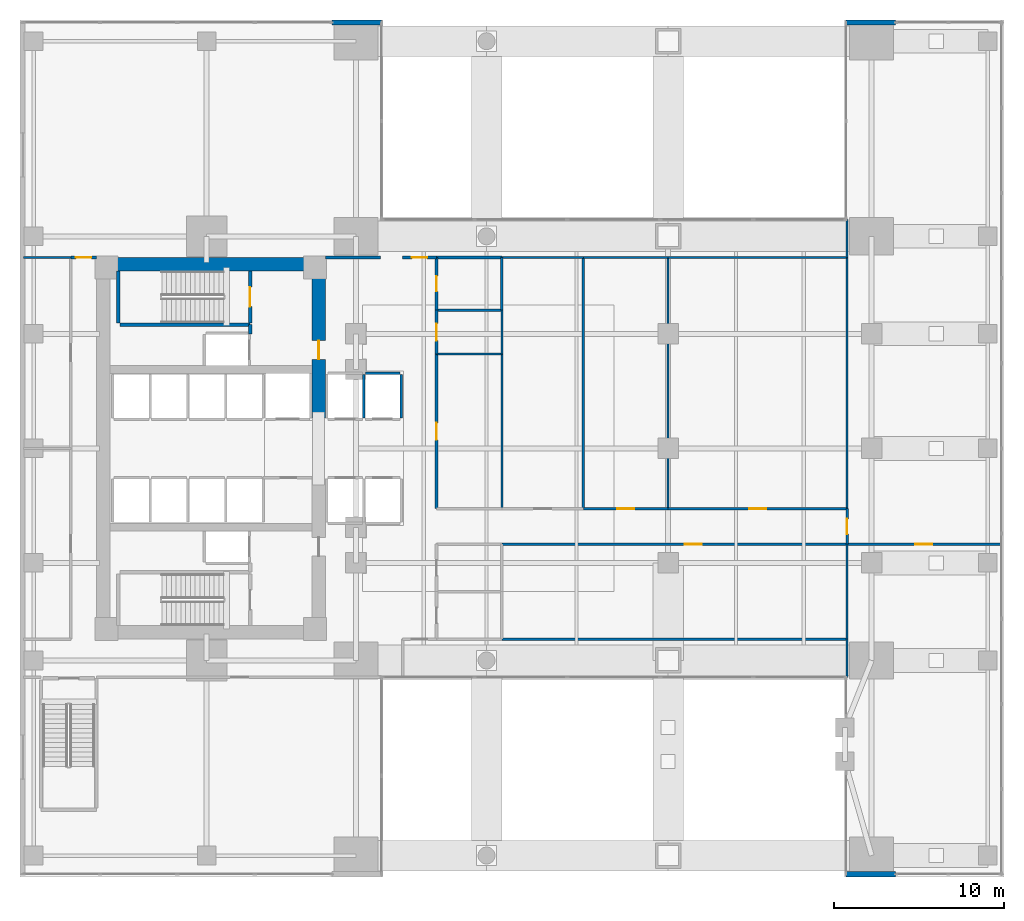
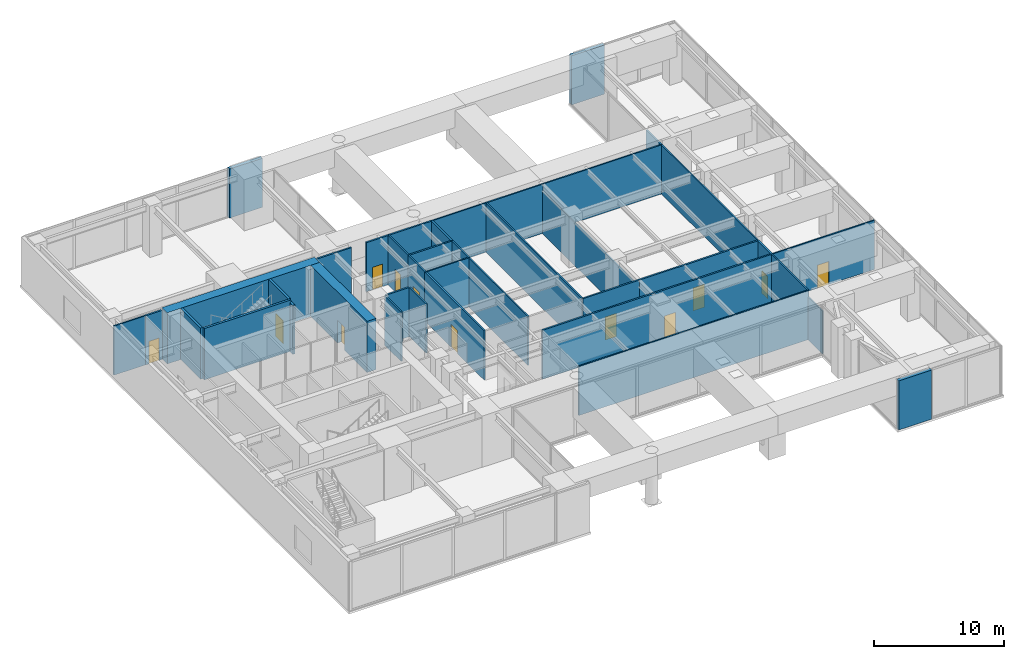
# One storey, part 10 of 13: 40 walls, 12 doors, 12 openings.
"""IFC4 building model written with IfcOpenShell, lengths in metres."""

from ifc_helpers import new_model, si_unit, direction, frame, frame_2d, origin, place, context, subcontext, project, spatial, rectangle, extrude, material, layer, layer_set, type_object, element, fill, save


model = new_model("IFC4")

# Units and contexts
model_context = context("Model", 3, precision=1e-05, world=origin(), true_north=direction((0.0, 1.0)))
body_context = subcontext(model_context, "Body", "Model", "MODEL_VIEW")
ifc_project = project(units=[si_unit("LENGTHUNIT", "METRE"), si_unit("AREAUNIT", "SQUARE_METRE"), si_unit("VOLUMEUNIT", "CUBIC_METRE"), si_unit("PLANEANGLEUNIT", "RADIAN"), si_unit("MASSUNIT", "GRAM", prefix="KILO")], contexts=[model_context])

# Site, building, storey
site_placement = place(None, origin())
site = spatial("IfcSite", under=ifc_project, at=site_placement, CompositionType="ELEMENT")
building_placement = place(site_placement, origin())
building = spatial("IfcBuilding", under=site, at=building_placement, Name="Kinhvarn Gate Tower", CompositionType="ELEMENT")
storey_placement = place(building_placement, frame((0.0, 0.0, 15.60009765625)))
storey = spatial("IfcBuildingStorey", under=building, at=storey_placement, Name="L03", CompositionType="ELEMENT", Elevation=15.60009765625)

# Wall
ifc_material_1 = material(Name="Concrete C70/85", Category="concrete")
ifc_layer_1 = layer(ifc_material_1, 0.800048828125)
ifc_layer_set_1 = layer_set([ifc_layer_1], Name="Concrete C70/85")
wall_type_1 = type_object("IfcWallType", Name="WL-CORE-800", PredefinedType="SHEAR", material=ifc_layer_set_1)
wall_1_placement = place(storey_placement, frame((4.5, 36.10009765625, 0.0), z_axis=(0.0, 0.0, 1.0), x_axis=(1.0, 0.0, 0.0)))
element("IfcWall", 1, at=wall_1_placement, inside=storey, type_object=wall_type_1, Name="Core North Shear Wall L03 800 mm", PredefinedType="SHEAR", context=body_context, shape_type="SweptSolid", body=[
    extrude(rectangle(XDim=13.5, YDim=0.800048828125, at=frame_2d((6.75, 0.0))), origin(), (0.0, 0.0, 1.0), 4.7998046875),
])

# Wall, opening, door
wall_2_placement = place(storey_placement, frame((17.60009765625, 27.050048828125, 0.0), z_axis=(0.0, 0.0, 1.0), x_axis=(0.0, 1.0, 0.0)))
wall_2 = element("IfcWall", 2, at=wall_2_placement, inside=storey, type_object=wall_type_1, Name="Core East-North Shear Pier L03 800 mm", PredefinedType="SHEAR", context=body_context, shape_type="SweptSolid", body=[
    extrude(rectangle(XDim=8.64990234375, YDim=0.800048828125, at=frame_2d((4.324951171875, 0.0))), origin(), (0.0, 0.0, 1.0), 4.7998046875),
])
opening_1_placement = place(wall_2_placement, frame((3.449951171875, 0.0, 0.0)))
opening_1 = element("IfcOpeningElement", 3, at=opening_1_placement, cuts=wall_2, Name="Opening FD-02", PredefinedType="OPENING", context=body_context, shape_type="SweptSolid", body=[
    extrude(rectangle(XDim=1.10009765625, YDim=2.14990234375, at=frame_2d((0.550048828125, 1.074951171875))), frame((0.0, 0.41015625, 0.0), z_axis=(0.0, -1.0, 0.0), x_axis=(1.0, 0.0, 0.0)), (0.0, 0.0, 1.0), 0.820068359375),
])
ifc_material_2 = material(Name="Anodised aluminium AW-6063", Category="aluminium")
door_type_1 = type_object("IfcDoorType", Name="DR-FD-1100", OperationType="NOTDEFINED", PredefinedType="DOOR", material=ifc_material_2)
door_1_placement = place(opening_1_placement, origin())
door_1 = element("IfcDoor", 4, at=door_1_placement, inside=storey, type_object=door_type_1, Name="Firefighting Lobby Core Door (L03)", OperationType="SINGLE_SWING_LEFT", OverallHeight=2.14990234375, OverallWidth=1.10009765625, PredefinedType="DOOR", context=body_context, shape_type="SweptSolid", body=[
    extrude(rectangle(XDim=1.10009765625, YDim=2.14990234375, at=frame_2d((0.550048828125, 1.074951171875))), frame((0.0, 0.02490234375, 0.0), z_axis=(0.0, -1.0, 0.0), x_axis=(1.0, 0.0, 0.0)), (0.0, 0.0, 1.0), 0.050048828125),
])
fill(opening_1, door_1)

# Walls
ifc_material_3 = material(Name="Precast white architectural concrete C40/50", Category="concrete")
ifc_layer_2 = layer(ifc_material_3, 0.300048828125)
ifc_layer_set_2 = layer_set([ifc_layer_2], Name="Precast white architectural concrete C40/50")
wall_type_2 = type_object("IfcWallType", Name="WL-EXT-300", PredefinedType="SOLIDWALL", material=ifc_layer_set_2)
for number, where, z_axis, x_axis, name in (
    (5, (48.68994140625, 0.14990234375, 0.0), (0.0, 0.0, 1.0), (1.0, 0.0, 0.0), "Exterior Solidwall Wall EW-300 (L03 Arch-SE-Pier-L03)"),
    (6, (51.60009765625, 50.35009765625, 0.0), (0.0, 0.0, 1.0), (-1.0, 0.0, 0.0), "Exterior Solidwall Wall EW-300 (L03 Arch-NE-Pier-L03)"),
    (7, (21.31005859375, 50.35009765625, 0.0), (0.0, 0.0, 1.0), (-1.0, 0.0, 0.0), "Exterior Solidwall Wall EW-300 (L03 Arch-NW-Pier-L03)"),
):
    element("IfcWall", number, at=place(storey_placement, frame(where, z_axis=z_axis, x_axis=x_axis)), inside=storey, type_object=wall_type_2, Name=name, PredefinedType="SOLIDWALL", context=body_context, shape_type="SweptSolid", body=[
        extrude(rectangle(XDim=2.91015625, YDim=0.300048828125, at=frame_2d((1.455078125, 0.0))), origin(), (0.0, 0.0, 1.0), 4.599853515625),
    ])
ifc_material_4 = material(Name="Gypsum acoustic partition board")
ifc_layer_3 = layer(ifc_material_4, 0.14990234375)
ifc_layer_set_3 = layer_set([ifc_layer_3], Name="Gypsum acoustic partition board")
wall_type_3 = type_object("IfcWallType", Name="WL-PLM-150", PredefinedType="PLUMBINGWALL", material=ifc_layer_set_3)
for number, where, z_axis, x_axis, name in (
    (8, (24.550048828125, 36.5, 0.0), (0.0, 0.0, 1.0), (1.0, 0.0, 0.0), "Interior Partition PLW-150 (L03)"),
    (9, (24.550048828125, 33.39990234375, 0.0), (0.0, 0.0, 1.0), (1.0, 0.0, 0.0), "Interior Partition PLW-150 (L03)"),
):
    element("IfcWall", number, at=place(storey_placement, frame(where, z_axis=z_axis, x_axis=x_axis)), inside=storey, type_object=wall_type_3, Name=name, PredefinedType="PLUMBINGWALL", context=body_context, shape_type="SweptSolid", body=[
        extrude(rectangle(XDim=3.849853515625, YDim=0.14990234375, at=frame_2d((1.9248046875, 0.0))), origin(), (0.0, 0.0, 1.0), 4.599853515625),
    ])
wall_3_placement = place(storey_placement, frame((28.39990234375, 33.39990234375, 0.0), z_axis=(0.0, 0.0, 1.0), x_axis=(0.0, 1.0, 0.0)))
element("IfcWall", 10, at=wall_3_placement, inside=storey, type_object=wall_type_3, Name="Interior Partition PLW-150 (L03)", PredefinedType="PLUMBINGWALL", context=body_context, shape_type="SweptSolid", body=[
    extrude(rectangle(XDim=3.10009765625, YDim=0.14990234375, at=frame_2d((1.550048828125, 0.0))), origin(), (0.0, 0.0, 1.0), 4.599853515625),
])

# Wall, opening, door
ifc_layer_4 = layer(ifc_material_4, 0.14990234375)
ifc_layer_set_4 = layer_set([ifc_layer_4], Name="Gypsum acoustic partition board")
wall_type_4 = type_object("IfcWallType", Name="WL-PLM-150F", PredefinedType="PLUMBINGWALL", material=ifc_layer_set_4)
wall_4_placement = place(storey_placement, frame((24.550048828125, 33.39990234375, 0.0), z_axis=(0.0, 0.0, 1.0), x_axis=(0.0, 1.0, 0.0)))
wall_4 = element("IfcWall", 11, at=wall_4_placement, inside=storey, type_object=wall_type_4, Name="Interior Partition PLW-150F (L03)", PredefinedType="PLUMBINGWALL", context=body_context, shape_type="SweptSolid", body=[
    extrude(rectangle(XDim=3.10009765625, YDim=0.14990234375, at=frame_2d((1.550048828125, 0.0))), origin(), (0.0, 0.0, 1.0), 4.599853515625),
])
opening_2_placement = place(wall_4_placement, frame((1.10009765625, 0.0, 0.0)))
opening_2 = element("IfcOpeningElement", 12, at=opening_2_placement, cuts=wall_4, Name="Opening FD-04", PredefinedType="OPENING", context=body_context, shape_type="SweptSolid", body=[
    extrude(rectangle(XDim=0.89990234375, YDim=2.10009765625, at=frame_2d((0.449951171875, 1.050048828125))), frame((0.0, 0.0849609375, 0.0), z_axis=(0.0, -1.0, 0.0), x_axis=(1.0, 0.0, 0.0)), (0.0, 0.0, 1.0), 0.169921875),
])
door_type_2 = type_object("IfcDoorType", Name="DR-FD-900", OperationType="NOTDEFINED", PredefinedType="DOOR", material=ifc_material_2)
door_2_placement = place(opening_2_placement, origin())
door_2 = element("IfcDoor", 13, at=door_2_placement, inside=storey, type_object=door_type_2, Name="Rated Riser & Service Closet Fire Door 900x2100 mm (L03)", OperationType="SINGLE_SWING_LEFT", OverallHeight=2.10009765625, OverallWidth=0.89990234375, PredefinedType="DOOR", context=body_context, shape_type="SweptSolid", body=[
    extrude(rectangle(XDim=0.89990234375, YDim=2.10009765625, at=frame_2d((0.449951171875, 1.050048828125))), frame((0.0, 0.02490234375, 0.0), z_axis=(0.0, -1.0, 0.0), x_axis=(1.0, 0.0, 0.0)), (0.0, 0.0, 1.0), 0.050048828125),
])
fill(opening_2, door_2)

# Walls
ifc_layer_5 = layer(ifc_material_4, 0.1201171875)
ifc_layer_set_5 = layer_set([ifc_layer_5], Name="Gypsum acoustic partition board")
wall_type_5 = type_object("IfcWallType", Name="WL-PRT-120", PredefinedType="PARTITIONING", material=ifc_layer_set_5)
wall_5_placement = place(storey_placement, frame((0.199951171875, 36.5, 0.0), z_axis=(0.0, 0.0, 1.0), x_axis=(1.0, 0.0, 0.0)))
element("IfcWall", 14, at=wall_5_placement, inside=storey, type_object=wall_type_5, Name="Interior Partition PW-120 (L03)", PredefinedType="PARTITIONING", context=body_context, shape_type="SweptSolid", body=[
    extrude(rectangle(XDim=2.800048828125, YDim=0.1201171875, at=frame_2d((1.39990234375, 0.0))), origin(), (0.0, 0.0, 1.0), 4.599853515625),
])
wall_6_placement = place(storey_placement, frame((28.39990234375, 14.0, 0.0), z_axis=(0.0, 0.0, 1.0), x_axis=(1.0, 0.0, 0.0)))
element("IfcWall", 15, at=wall_6_placement, inside=storey, type_object=wall_type_5, Name="Interior Partition PW-120 (L03)", PredefinedType="PARTITIONING", context=body_context, shape_type="SweptSolid", body=[
    extrude(rectangle(XDim=20.35009765625, YDim=0.1201171875, at=frame_2d((10.175048828125, 0.0))), origin(), (0.0, 0.0, 1.0), 4.599853515625),
])
wall_7_placement = place(storey_placement, frame((48.75, 11.739990234375, 0.0), z_axis=(0.0, 0.0, 1.0), x_axis=(0.0, 1.0, 0.0)))
element("IfcWall", 16, at=wall_7_placement, inside=storey, type_object=wall_type_5, Name="Interior Partition PW-120 (L03)", PredefinedType="PARTITIONING", context=body_context, shape_type="SweptSolid", body=[
    extrude(rectangle(XDim=2.260009765625, YDim=0.1201171875, at=frame_2d((1.1298828125, 0.0))), origin(), (0.0, 0.0, 1.0), 4.0),
])
wall_8_placement = place(storey_placement, frame((28.39990234375, 36.5, 0.0), z_axis=(0.0, 0.0, 1.0), x_axis=(1.0, 0.0, 0.0)))
element("IfcWall", 17, at=wall_8_placement, inside=storey, type_object=wall_type_5, Name="Interior Partition PW-120 (L03)", PredefinedType="PARTITIONING", context=body_context, shape_type="SweptSolid", body=[
    extrude(rectangle(XDim=4.800048828125, YDim=0.1201171875, at=frame_2d((2.39990234375, 0.0))), origin(), (0.0, 0.0, 1.0), 4.599853515625),
])
wall_9_placement = place(storey_placement, frame((33.199951171875, 36.5, 0.0), z_axis=(0.0, 0.0, 1.0), x_axis=(1.0, 0.0, 0.0)))
element("IfcWall", 18, at=wall_9_placement, inside=storey, type_object=wall_type_5, Name="Interior Partition PW-120 (L03)", PredefinedType="PARTITIONING", context=body_context, shape_type="SweptSolid", body=[
    extrude(rectangle(XDim=5.0, YDim=0.1201171875, at=frame_2d((2.5, 0.0))), origin(), (0.0, 0.0, 1.0), 4.599853515625),
])
wall_10_placement = place(storey_placement, frame((38.199951171875, 36.5, 0.0), z_axis=(0.0, 0.0, 1.0), x_axis=(1.0, 0.0, 0.0)))
element("IfcWall", 19, at=wall_10_placement, inside=storey, type_object=wall_type_5, Name="Interior Partition PW-120 (L03)", PredefinedType="PARTITIONING", context=body_context, shape_type="SweptSolid", body=[
    extrude(rectangle(XDim=10.550048828125, YDim=0.1201171875, at=frame_2d((5.27490234375, 0.0))), origin(), (0.0, 0.0, 1.0), 4.599853515625),
])
wall_11_placement = place(storey_placement, frame((48.75, 36.5, 0.0), z_axis=(0.0, 0.0, 1.0), x_axis=(0.0, 1.0, 0.0)))
element("IfcWall", 20, at=wall_11_placement, inside=storey, type_object=wall_type_5, Name="Interior Partition PW-120 (L03)", PredefinedType="PARTITIONING", context=body_context, shape_type="SweptSolid", body=[
    extrude(rectangle(XDim=2.260009765625, YDim=0.1201171875, at=frame_2d((1.1298828125, 0.0))), origin(), (0.0, 0.0, 1.0), 4.599853515625),
])
wall_12_placement = place(storey_placement, frame((24.550048828125, 30.800048828125, 0.0), z_axis=(0.0, 0.0, 1.0), x_axis=(1.0, 0.0, 0.0)))
element("IfcWall", 21, at=wall_12_placement, inside=storey, type_object=wall_type_5, Name="Interior Partition PW-120 (L03)", PredefinedType="PARTITIONING", context=body_context, shape_type="SweptSolid", body=[
    extrude(rectangle(XDim=3.849853515625, YDim=0.1201171875, at=frame_2d((1.9248046875, 0.0))), origin(), (0.0, 0.0, 1.0), 4.599853515625),
])
wall_13_placement = place(storey_placement, frame((28.39990234375, 30.800048828125, 0.0), z_axis=(0.0, 0.0, 1.0), x_axis=(0.0, 1.0, 0.0)))
element("IfcWall", 22, at=wall_13_placement, inside=storey, type_object=wall_type_5, Name="Interior Partition PW-120 (L03)", PredefinedType="PARTITIONING", context=body_context, shape_type="SweptSolid", body=[
    extrude(rectangle(XDim=2.599853515625, YDim=0.1201171875, at=frame_2d((1.2998046875, 0.0))), origin(), (0.0, 0.0, 1.0), 4.599853515625),
])
wall_14_placement = place(storey_placement, frame((48.75, 14.0, 0.0), z_axis=(0.0, 0.0, 1.0), x_axis=(0.0, 1.0, 0.0)))
element("IfcWall", 23, at=wall_14_placement, inside=storey, type_object=wall_type_5, Name="Interior Partition PW-120 (L03)", PredefinedType="PARTITIONING", context=body_context, shape_type="SweptSolid", body=[
    extrude(rectangle(XDim=5.60009765625, YDim=0.1201171875, at=frame_2d((2.800048828125, 0.0))), origin(), (0.0, 0.0, 1.0), 4.599853515625),
])
wall_15_placement = place(storey_placement, frame((28.39990234375, 21.699951171875, 0.0), z_axis=(0.0, 0.0, 1.0), x_axis=(0.0, 1.0, 0.0)))
element("IfcWall", 24, at=wall_15_placement, inside=storey, type_object=wall_type_5, Name="Interior Partition PW-120 (L03)", PredefinedType="PARTITIONING", context=body_context, shape_type="SweptSolid", body=[
    extrude(rectangle(XDim=9.10009765625, YDim=0.1201171875, at=frame_2d((4.550048828125, 0.0))), origin(), (0.0, 0.0, 1.0), 4.599853515625),
])
wall_16_placement = place(storey_placement, frame((33.199951171875, 21.699951171875, 0.0), z_axis=(0.0, 0.0, 1.0), x_axis=(0.0, 1.0, 0.0)))
element("IfcWall", 25, at=wall_16_placement, inside=storey, type_object=wall_type_5, Name="Interior Partition PW-120 (L03)", PredefinedType="PARTITIONING", context=body_context, shape_type="SweptSolid", body=[
    extrude(rectangle(XDim=14.800048828125, YDim=0.1201171875, at=frame_2d((7.39990234375, 0.0))), origin(), (0.0, 0.0, 1.0), 4.599853515625),
])
wall_17_placement = place(storey_placement, frame((38.199951171875, 21.699951171875, 0.0), z_axis=(0.0, 0.0, 1.0), x_axis=(0.0, 1.0, 0.0)))
element("IfcWall", 26, at=wall_17_placement, inside=storey, type_object=wall_type_5, Name="Interior Partition PW-120 (L03)", PredefinedType="PARTITIONING", context=body_context, shape_type="SweptSolid", body=[
    extrude(rectangle(XDim=14.800048828125, YDim=0.1201171875, at=frame_2d((7.39990234375, 0.0))), origin(), (0.0, 0.0, 1.0), 4.0),
])
wall_18_placement = place(storey_placement, frame((48.75, 21.699951171875, 0.0), z_axis=(0.0, 0.0, 1.0), x_axis=(0.0, 1.0, 0.0)))
element("IfcWall", 27, at=wall_18_placement, inside=storey, type_object=wall_type_5, Name="Interior Partition PW-120 (L03)", PredefinedType="PARTITIONING", context=body_context, shape_type="SweptSolid", body=[
    extrude(rectangle(XDim=14.800048828125, YDim=0.1201171875, at=frame_2d((7.39990234375, 0.0))), origin(), (0.0, 0.0, 1.0), 4.599853515625),
])

# Wall, opening, door
wall_19_placement = place(storey_placement, frame((48.75, 19.60009765625, 0.0), z_axis=(0.0, 0.0, 1.0), x_axis=(1.0, 0.0, 0.0)))
wall_19 = element("IfcWall", 28, at=wall_19_placement, inside=storey, type_object=wall_type_5, Name="Interior Partition PW-120 (L03)", PredefinedType="PARTITIONING", context=body_context, shape_type="SweptSolid", body=[
    extrude(rectangle(XDim=9.050048828125, YDim=0.1201171875, at=frame_2d((4.52490234375, 0.0))), origin(), (0.0, 0.0, 1.0), 4.599853515625),
])
opening_3_placement = place(wall_19_placement, frame((4.02490234375, 0.0, 0.0)))
opening_3 = element("IfcOpeningElement", 29, at=opening_3_placement, cuts=wall_19, Name="Opening ID-02", PredefinedType="OPENING", context=body_context, shape_type="SweptSolid", body=[
    extrude(rectangle(XDim=1.0, YDim=2.14990234375, at=frame_2d((0.5, 1.074951171875))), frame((0.0, 0.070068359375, 0.0), z_axis=(0.0, -1.0, 0.0), x_axis=(1.0, 0.0, 0.0)), (0.0, 0.0, 1.0), 0.14013671875),
])
door_type_3 = type_object("IfcDoorType", Name="DR-INT-1000", OperationType="NOTDEFINED", PredefinedType="DOOR", material=ifc_material_2)
door_3_placement = place(opening_3_placement, origin())
door_3 = element("IfcDoor", 30, at=door_3_placement, inside=storey, type_object=door_type_3, Name="Standard Office & Meeting Room Door 1000x2150 mm (L03)", OperationType="SINGLE_SWING_RIGHT", OverallHeight=2.14990234375, OverallWidth=1.0, PredefinedType="DOOR", context=body_context, shape_type="SweptSolid", body=[
    extrude(rectangle(XDim=1.0, YDim=2.14990234375, at=frame_2d((0.5, 1.074951171875))), frame((0.0, 0.02490234375, 0.0), z_axis=(0.0, -1.0, 0.0), x_axis=(1.0, 0.0, 0.0)), (0.0, 0.0, 1.0), 0.050048828125),
])
fill(opening_3, door_3)

# Wall
ifc_layer_6 = layer(ifc_material_4, 0.14990234375)
ifc_layer_set_6 = layer_set([ifc_layer_6], Name="Gypsum acoustic partition board")
wall_type_6 = type_object("IfcWallType", Name="WL-PRT-150F", PredefinedType="PARTITIONING", material=ifc_layer_set_6)
wall_20_placement = place(storey_placement, frame((18.0, 36.5, 0.0), z_axis=(0.0, 0.0, 1.0), x_axis=(1.0, 0.0, 0.0)))
element("IfcWall", 31, at=wall_20_placement, inside=storey, type_object=wall_type_6, Name="Interior Partition PW-150F (L03)", PredefinedType="PARTITIONING", context=body_context, shape_type="SweptSolid", body=[
    extrude(rectangle(XDim=3.25, YDim=0.14990234375, at=frame_2d((1.625, 0.0))), origin(), (0.0, 0.0, 1.0), 4.599853515625),
])

# Wall, opening, door
wall_21_placement = place(storey_placement, frame((22.550048828125, 36.5, 0.0), z_axis=(0.0, 0.0, 1.0), x_axis=(1.0, 0.0, 0.0)))
wall_21 = element("IfcWall", 32, at=wall_21_placement, inside=storey, type_object=wall_type_6, Name="Interior Partition PW-150F (L03)", PredefinedType="PARTITIONING", context=body_context, shape_type="SweptSolid", body=[
    extrude(rectangle(XDim=2.0, YDim=0.14990234375, at=frame_2d((1.0, 0.0))), origin(), (0.0, 0.0, 1.0), 4.599853515625),
])
opening_4_placement = place(wall_21_placement, frame((0.550048828125, 0.0, 0.0)))
opening_4 = element("IfcOpeningElement", 33, at=opening_4_placement, cuts=wall_21, Name="Opening ID-03", PredefinedType="OPENING", context=body_context, shape_type="SweptSolid", body=[
    extrude(rectangle(XDim=0.89990234375, YDim=2.10009765625, at=frame_2d((0.449951171875, 1.050048828125))), frame((0.0, 0.0849609375, 0.0), z_axis=(0.0, -1.0, 0.0), x_axis=(1.0, 0.0, 0.0)), (0.0, 0.0, 1.0), 0.169921875),
])
door_type_4 = type_object("IfcDoorType", Name="DR-INT-900", OperationType="NOTDEFINED", PredefinedType="DOOR", material=ifc_material_2)
door_4_placement = place(opening_4_placement, origin())
door_4 = element("IfcDoor", 34, at=door_4_placement, inside=storey, type_object=door_type_4, Name="Cellular Office & Restroom Door 900x2100 mm (L03)", OperationType="SINGLE_SWING_LEFT", OverallHeight=2.10009765625, OverallWidth=0.89990234375, PredefinedType="DOOR", context=body_context, shape_type="SweptSolid", body=[
    extrude(rectangle(XDim=0.89990234375, YDim=2.10009765625, at=frame_2d((0.449951171875, 1.050048828125))), frame((0.0, 0.02490234375, 0.0), z_axis=(0.0, -1.0, 0.0), x_axis=(1.0, 0.0, 0.0)), (0.0, 0.0, 1.0), 0.050048828125),
])
fill(opening_4, door_4)

wall_22_placement = place(storey_placement, frame((24.550048828125, 30.800048828125, 0.0), z_axis=(0.0, 0.0, 1.0), x_axis=(0.0, 1.0, 0.0)))
wall_22 = element("IfcWall", 35, at=wall_22_placement, inside=storey, type_object=wall_type_6, Name="Interior Partition PW-150F (L03)", PredefinedType="PARTITIONING", context=body_context, shape_type="SweptSolid", body=[
    extrude(rectangle(XDim=2.599853515625, YDim=0.14990234375, at=frame_2d((1.2998046875, 0.0))), origin(), (0.0, 0.0, 1.0), 4.599853515625),
])
opening_5_placement = place(wall_22_placement, frame((0.800048828125, 0.0, 0.0)))
opening_5 = element("IfcOpeningElement", 36, at=opening_5_placement, cuts=wall_22, Name="Opening ID-02", PredefinedType="OPENING", context=body_context, shape_type="SweptSolid", body=[
    extrude(rectangle(XDim=1.0, YDim=2.14990234375, at=frame_2d((0.5, 1.074951171875))), frame((0.0, 0.0849609375, 0.0), z_axis=(0.0, -1.0, 0.0), x_axis=(1.0, 0.0, 0.0)), (0.0, 0.0, 1.0), 0.169921875),
])
door_5_placement = place(opening_5_placement, origin())
door_5 = element("IfcDoor", 37, at=door_5_placement, inside=storey, type_object=door_type_3, Name="Standard Office & Meeting Room Door 1000x2150 mm (L03)", OperationType="SINGLE_SWING_LEFT", OverallHeight=2.14990234375, OverallWidth=1.0, PredefinedType="DOOR", context=body_context, shape_type="SweptSolid", body=[
    extrude(rectangle(XDim=1.0, YDim=2.14990234375, at=frame_2d((0.5, 1.074951171875))), frame((0.0, 0.02490234375, 0.0), z_axis=(0.0, -1.0, 0.0), x_axis=(1.0, 0.0, 0.0)), (0.0, 0.0, 1.0), 0.050048828125),
])
fill(opening_5, door_5)

wall_23_placement = place(storey_placement, frame((24.550048828125, 21.699951171875, 0.0), z_axis=(0.0, 0.0, 1.0), x_axis=(0.0, 1.0, 0.0)))
wall_23 = element("IfcWall", 38, at=wall_23_placement, inside=storey, type_object=wall_type_6, Name="Interior Partition PW-150F (L03)", PredefinedType="PARTITIONING", context=body_context, shape_type="SweptSolid", body=[
    extrude(rectangle(XDim=9.10009765625, YDim=0.14990234375, at=frame_2d((4.550048828125, 0.0))), origin(), (0.0, 0.0, 1.0), 4.599853515625),
])
opening_6_placement = place(wall_23_placement, frame((4.050048828125, 0.0, 0.0)))
opening_6 = element("IfcOpeningElement", 39, at=opening_6_placement, cuts=wall_23, Name="Opening ID-02", PredefinedType="OPENING", context=body_context, shape_type="SweptSolid", body=[
    extrude(rectangle(XDim=1.0, YDim=2.14990234375, at=frame_2d((0.5, 1.074951171875))), frame((0.0, 0.0849609375, 0.0), z_axis=(0.0, -1.0, 0.0), x_axis=(1.0, 0.0, 0.0)), (0.0, 0.0, 1.0), 0.169921875),
])
door_6_placement = place(opening_6_placement, origin())
door_6 = element("IfcDoor", 40, at=door_6_placement, inside=storey, type_object=door_type_3, Name="Standard Office & Meeting Room Door 1000x2150 mm (L03)", OperationType="SINGLE_SWING_RIGHT", OverallHeight=2.14990234375, OverallWidth=1.0, PredefinedType="DOOR", context=body_context, shape_type="SweptSolid", body=[
    extrude(rectangle(XDim=1.0, YDim=2.14990234375, at=frame_2d((0.5, 1.074951171875))), frame((0.0, 0.02490234375, 0.0), z_axis=(0.0, -1.0, 0.0), x_axis=(1.0, 0.0, 0.0)), (0.0, 0.0, 1.0), 0.050048828125),
])
fill(opening_6, door_6)

wall_24_placement = place(storey_placement, frame((3.0, 36.5, 0.0), z_axis=(0.0, 0.0, 1.0), x_axis=(1.0, 0.0, 0.0)))
wall_24 = element("IfcWall", 41, at=wall_24_placement, inside=storey, type_object=wall_type_6, Name="Interior Partition PW-150F (L03)", PredefinedType="PARTITIONING", context=body_context, shape_type="SweptSolid", body=[
    extrude(rectangle(XDim=1.5, YDim=0.14990234375, at=frame_2d((0.75, 0.0))), origin(), (0.0, 0.0, 1.0), 4.599853515625),
])
opening_7_placement = place(wall_24_placement, frame((0.300048828125, 0.0, 0.0)))
opening_7 = element("IfcOpeningElement", 42, at=opening_7_placement, cuts=wall_24, Name="Opening ID-03", PredefinedType="OPENING", context=body_context, shape_type="SweptSolid", body=[
    extrude(rectangle(XDim=0.89990234375, YDim=2.10009765625, at=frame_2d((0.449951171875, 1.050048828125))), frame((0.0, 0.0849609375, 0.0), z_axis=(0.0, -1.0, 0.0), x_axis=(1.0, 0.0, 0.0)), (0.0, 0.0, 1.0), 0.169921875),
])
door_7_placement = place(opening_7_placement, origin())
door_7 = element("IfcDoor", 43, at=door_7_placement, inside=storey, type_object=door_type_4, Name="Cellular Office & Restroom Door 900x2100 mm (L03)", OperationType="SINGLE_SWING_RIGHT", OverallHeight=2.10009765625, OverallWidth=0.89990234375, PredefinedType="DOOR", context=body_context, shape_type="SweptSolid", body=[
    extrude(rectangle(XDim=0.89990234375, YDim=2.10009765625, at=frame_2d((0.449951171875, 1.050048828125))), frame((0.0, 0.02490234375, 0.0), z_axis=(0.0, -1.0, 0.0), x_axis=(1.0, 0.0, 0.0)), (0.0, 0.0, 1.0), 0.050048828125),
])
fill(opening_7, door_7)

wall_25_placement = place(storey_placement, frame((28.39990234375, 19.60009765625, 0.0), z_axis=(0.0, 0.0, 1.0), x_axis=(1.0, 0.0, 0.0)))
wall_25 = element("IfcWall", 44, at=wall_25_placement, inside=storey, type_object=wall_type_6, Name="Interior Partition PW-150F (L03)", PredefinedType="PARTITIONING", context=body_context, shape_type="SweptSolid", body=[
    extrude(rectangle(XDim=20.35009765625, YDim=0.14990234375, at=frame_2d((10.175048828125, 0.0))), origin(), (0.0, 0.0, 1.0), 4.599853515625),
])
opening_8_placement = place(wall_25_placement, frame((10.7958984375, 0.0, 0.0)))
opening_8 = element("IfcOpeningElement", 45, at=opening_8_placement, cuts=wall_25, Name="Opening ID-02", PredefinedType="OPENING", context=body_context, shape_type="SweptSolid", body=[
    extrude(rectangle(XDim=1.0, YDim=2.14990234375, at=frame_2d((0.5, 1.074951171875))), frame((0.0, 0.0849609375, 0.0), z_axis=(0.0, -1.0, 0.0), x_axis=(1.0, 0.0, 0.0)), (0.0, 0.0, 1.0), 0.169921875),
])
door_8_placement = place(opening_8_placement, origin())
door_8 = element("IfcDoor", 46, at=door_8_placement, inside=storey, type_object=door_type_3, Name="Standard Office & Meeting Room Door 1000x2150 mm (L03)", OperationType="SINGLE_SWING_LEFT", OverallHeight=2.14990234375, OverallWidth=1.0, PredefinedType="DOOR", context=body_context, shape_type="SweptSolid", body=[
    extrude(rectangle(XDim=1.0, YDim=2.14990234375, at=frame_2d((0.5, 1.074951171875))), frame((0.0, 0.02490234375, 0.0), z_axis=(0.0, -1.0, 0.0), x_axis=(1.0, 0.0, 0.0)), (0.0, 0.0, 1.0), 0.050048828125),
])
fill(opening_8, door_8)

wall_26_placement = place(storey_placement, frame((33.199951171875, 21.699951171875, 0.0), z_axis=(0.0, 0.0, 1.0), x_axis=(1.0, 0.0, 0.0)))
wall_26 = element("IfcWall", 47, at=wall_26_placement, inside=storey, type_object=wall_type_6, Name="Interior Partition PW-150F (L03)", PredefinedType="PARTITIONING", context=body_context, shape_type="SweptSolid", body=[
    extrude(rectangle(XDim=5.0, YDim=0.14990234375, at=frame_2d((2.5, 0.0))), origin(), (0.0, 0.0, 1.0), 4.599853515625),
])
opening_9_placement = place(wall_26_placement, frame((2.0, 0.0, 0.0)))
opening_9 = element("IfcOpeningElement", 48, at=opening_9_placement, cuts=wall_26, Name="Opening ID-02", PredefinedType="OPENING", context=body_context, shape_type="SweptSolid", body=[
    extrude(rectangle(XDim=1.0, YDim=2.14990234375, at=frame_2d((0.5, 1.074951171875))), frame((0.0, 0.0849609375, 0.0), z_axis=(0.0, -1.0, 0.0), x_axis=(1.0, 0.0, 0.0)), (0.0, 0.0, 1.0), 0.169921875),
])
door_9_placement = place(opening_9_placement, origin())
door_9 = element("IfcDoor", 49, at=door_9_placement, inside=storey, type_object=door_type_3, Name="Standard Office & Meeting Room Door 1000x2150 mm (L03)", OperationType="SINGLE_SWING_LEFT", OverallHeight=2.14990234375, OverallWidth=1.0, PredefinedType="DOOR", context=body_context, shape_type="SweptSolid", body=[
    extrude(rectangle(XDim=1.0, YDim=2.14990234375, at=frame_2d((0.5, 1.074951171875))), frame((0.0, 0.02490234375, 0.0), z_axis=(0.0, -1.0, 0.0), x_axis=(1.0, 0.0, 0.0)), (0.0, 0.0, 1.0), 0.050048828125),
])
fill(opening_9, door_9)

wall_27_placement = place(storey_placement, frame((38.199951171875, 21.699951171875, 0.0), z_axis=(0.0, 0.0, 1.0), x_axis=(1.0, 0.0, 0.0)))
wall_27 = element("IfcWall", 50, at=wall_27_placement, inside=storey, type_object=wall_type_6, Name="Interior Partition PW-150F (L03)", PredefinedType="PARTITIONING", context=body_context, shape_type="SweptSolid", body=[
    extrude(rectangle(XDim=10.550048828125, YDim=0.14990234375, at=frame_2d((5.27490234375, 0.0))), origin(), (0.0, 0.0, 1.0), 4.599853515625),
])
opening_10_placement = place(wall_27_placement, frame((4.77490234375, 0.0, 0.0)))
opening_10 = element("IfcOpeningElement", 51, at=opening_10_placement, cuts=wall_27, Name="Opening ID-02", PredefinedType="OPENING", context=body_context, shape_type="SweptSolid", body=[
    extrude(rectangle(XDim=1.0, YDim=2.14990234375, at=frame_2d((0.5, 1.074951171875))), frame((0.0, 0.0849609375, 0.0), z_axis=(0.0, -1.0, 0.0), x_axis=(1.0, 0.0, 0.0)), (0.0, 0.0, 1.0), 0.169921875),
])
door_10_placement = place(opening_10_placement, origin())
door_10 = element("IfcDoor", 52, at=door_10_placement, inside=storey, type_object=door_type_3, Name="Standard Office & Meeting Room Door 1000x2150 mm (L03)", OperationType="SINGLE_SWING_RIGHT", OverallHeight=2.14990234375, OverallWidth=1.0, PredefinedType="DOOR", context=body_context, shape_type="SweptSolid", body=[
    extrude(rectangle(XDim=1.0, YDim=2.14990234375, at=frame_2d((0.5, 1.074951171875))), frame((0.0, 0.02490234375, 0.0), z_axis=(0.0, -1.0, 0.0), x_axis=(1.0, 0.0, 0.0)), (0.0, 0.0, 1.0), 0.050048828125),
])
fill(opening_10, door_10)

wall_28_placement = place(storey_placement, frame((48.75, 19.60009765625, 0.0), z_axis=(0.0, 0.0, 1.0), x_axis=(0.0, 1.0, 0.0)))
wall_28 = element("IfcWall", 53, at=wall_28_placement, inside=storey, type_object=wall_type_6, Name="Interior Partition PW-150F (L03)", PredefinedType="PARTITIONING", context=body_context, shape_type="SweptSolid", body=[
    extrude(rectangle(XDim=2.099853515625, YDim=0.14990234375, at=frame_2d((1.0498046875, 0.0))), origin(), (0.0, 0.0, 1.0), 4.599853515625),
])
opening_11_placement = place(wall_28_placement, frame((0.60009765625, 0.0, 0.0)))
opening_11 = element("IfcOpeningElement", 54, at=opening_11_placement, cuts=wall_28, Name="Opening ID-03", PredefinedType="OPENING", context=body_context, shape_type="SweptSolid", body=[
    extrude(rectangle(XDim=0.89990234375, YDim=2.10009765625, at=frame_2d((0.449951171875, 1.050048828125))), frame((0.0, 0.0849609375, 0.0), z_axis=(0.0, -1.0, 0.0), x_axis=(1.0, 0.0, 0.0)), (0.0, 0.0, 1.0), 0.169921875),
])
door_11_placement = place(opening_11_placement, origin())
door_11 = element("IfcDoor", 55, at=door_11_placement, inside=storey, type_object=door_type_4, Name="Cellular Office & Restroom Door 900x2100 mm (L03)", OperationType="SINGLE_SWING_LEFT", OverallHeight=2.10009765625, OverallWidth=0.89990234375, PredefinedType="DOOR", context=body_context, shape_type="SweptSolid", body=[
    extrude(rectangle(XDim=0.89990234375, YDim=2.10009765625, at=frame_2d((0.449951171875, 1.050048828125))), frame((0.0, 0.02490234375, 0.0), z_axis=(0.0, -1.0, 0.0), x_axis=(1.0, 0.0, 0.0)), (0.0, 0.0, 1.0), 0.050048828125),
])
fill(opening_11, door_11)

# Walls
ifc_layer_7 = layer(ifc_material_4, 0.199951171875)
ifc_layer_set_7 = layer_set([ifc_layer_7], Name="Gypsum acoustic partition board")
wall_type_7 = type_object("IfcWallType", Name="WL-PRT-200", PredefinedType="PARTITIONING", material=ifc_layer_set_7)
wall_29_placement = place(storey_placement, frame((13.580078125, 32.0, 0.0), z_axis=(0.0, 0.0, 1.0), x_axis=(0.0, 1.0, 0.0)))
element("IfcWall", 56, at=wall_29_placement, inside=storey, type_object=wall_type_7, Name="Interior Partition PW-200 (L03)", PredefinedType="PARTITIONING", context=body_context, shape_type="SweptSolid", body=[
    extrude(rectangle(XDim=0.5400390625, YDim=0.199951171875, at=frame_2d((0.27001953125, 0.0))), origin(), (0.0, 0.0, 1.0), 4.599853515625),
])
ifc_layer_8 = layer(ifc_material_4, 0.14990234375)
ifc_layer_set_8 = layer_set([ifc_layer_8], Name="Gypsum acoustic partition board")
wall_type_8 = type_object("IfcWallType", Name="WL-SHF-150", PredefinedType="PARTITIONING", material=ifc_layer_set_8)
wall_30_placement = place(storey_placement, frame((20.27490234375, 27.050048828125, 0.0), z_axis=(0.0, 0.0, 1.0), x_axis=(0.0, 1.0, 0.0)))
element("IfcWall", 57, at=wall_30_placement, inside=storey, type_object=wall_type_8, Name="Elevator PL-03 Hoistway Wall E (L03)", PredefinedType="PARTITIONING", context=body_context, shape_type="SweptSolid", body=[
    extrude(rectangle(XDim=2.550048828125, YDim=0.14990234375, at=frame_2d((1.27490234375, 0.0))), origin(), (0.0, 0.0, 1.0), 4.599853515625),
])
wall_31_placement = place(storey_placement, frame((20.35009765625, 29.675048828125, 0.0), z_axis=(0.0, 0.0, 1.0), x_axis=(1.0, 0.0, 0.0)))
element("IfcWall", 58, at=wall_31_placement, inside=storey, type_object=wall_type_8, Name="Elevator PL-04 Hoistway Wall N (L03)", PredefinedType="PARTITIONING", context=body_context, shape_type="SweptSolid", body=[
    extrude(rectangle(XDim=2.0498046875, YDim=0.14990234375, at=frame_2d((1.02490234375, 0.0))), origin(), (0.0, 0.0, 1.0), 4.599853515625),
])
wall_32_placement = place(storey_placement, frame((22.47509765625, 27.050048828125, 0.0), z_axis=(0.0, 0.0, 1.0), x_axis=(0.0, 1.0, 0.0)))
element("IfcWall", 59, at=wall_32_placement, inside=storey, type_object=wall_type_8, Name="Elevator PL-04 Hoistway Wall E (L03)", PredefinedType="PARTITIONING", context=body_context, shape_type="SweptSolid", body=[
    extrude(rectangle(XDim=2.550048828125, YDim=0.14990234375, at=frame_2d((1.27490234375, 0.0))), origin(), (0.0, 0.0, 1.0), 4.599853515625),
])
ifc_material_5 = material(Name="Concrete C40/50", Category="concrete")
ifc_layer_9 = layer(ifc_material_5, 0.199951171875)
ifc_layer_set_9 = layer_set([ifc_layer_9], Name="Concrete C40/50")
wall_type_9 = type_object("IfcWallType", Name="WL-SHF-200", PredefinedType="SOLIDWALL", material=ifc_layer_set_9)
wall_33_placement = place(storey_placement, frame((5.7900390625, 32.64990234375, 0.0), z_axis=(0.0, 0.0, 1.0), x_axis=(0.0, 1.0, 0.0)))
element("IfcWall", 60, at=wall_33_placement, inside=storey, type_object=wall_type_9, Name="Stair ST2 West Shaft Wall (L03)", PredefinedType="SOLIDWALL", context=body_context, shape_type="SweptSolid", body=[
    extrude(rectangle(XDim=3.050048828125, YDim=0.199951171875, at=frame_2d((1.52490234375, 0.0))), origin(), (0.0, 0.0, 1.0), 4.7998046875),
])
wall_34_placement = place(storey_placement, frame((5.89990234375, 32.5400390625, 0.0), z_axis=(0.0, 0.0, 1.0), x_axis=(1.0, 0.0, 0.0)))
element("IfcWall", 61, at=wall_34_placement, inside=storey, type_object=wall_type_9, Name="Stair ST2 South Shaft Wall (L03)", PredefinedType="SOLIDWALL", context=body_context, shape_type="SweptSolid", body=[
    extrude(rectangle(XDim=7.66015625, YDim=0.199951171875, at=frame_2d((3.830078125, 0.0))), origin(), (0.0, 0.0, 1.0), 4.7998046875),
])

# Wall, opening, door
wall_35_placement = place(storey_placement, frame((13.56005859375, 32.64990234375, 0.0), z_axis=(0.0, 0.0, 1.0), x_axis=(0.0, 1.0, 0.0)))
wall_35 = element("IfcWall", 62, at=wall_35_placement, inside=storey, type_object=wall_type_9, Name="Stair ST2 East Entry Wall (L03)", PredefinedType="SOLIDWALL", context=body_context, shape_type="SweptSolid", body=[
    extrude(rectangle(XDim=3.050048828125, YDim=0.199951171875, at=frame_2d((1.52490234375, 0.0))), origin(), (0.0, 0.0, 1.0), 4.7998046875),
])
opening_12_placement = place(wall_35_placement, frame((0.949951171875, 0.0, 0.0)))
opening_12 = element("IfcOpeningElement", 63, at=opening_12_placement, cuts=wall_35, Name="Opening FD-01", PredefinedType="OPENING", context=body_context, shape_type="SweptSolid", body=[
    extrude(rectangle(XDim=1.14990234375, YDim=2.14990234375, at=frame_2d((0.574951171875, 1.074951171875))), frame((0.0, 0.10986328125, 0.0), z_axis=(0.0, -1.0, 0.0), x_axis=(1.0, 0.0, 0.0)), (0.0, 0.0, 1.0), 0.219970703125),
])
door_type_5 = type_object("IfcDoorType", Name="DR-ST-1150", OperationType="NOTDEFINED", PredefinedType="DOOR", material=ifc_material_2)
door_12_placement = place(opening_12_placement, origin())
door_12 = element("IfcDoor", 64, at=door_12_placement, inside=storey, type_object=door_type_5, Name="Exit Stair ST2 Fire Door (L03)", OperationType="SINGLE_SWING_RIGHT", OverallHeight=2.14990234375, OverallWidth=1.14990234375, PredefinedType="DOOR", context=body_context, shape_type="SweptSolid", body=[
    extrude(rectangle(XDim=1.14990234375, YDim=2.14990234375, at=frame_2d((0.574951171875, 1.074951171875))), frame((0.0, 0.02490234375, 0.0), z_axis=(0.0, -1.0, 0.0), x_axis=(1.0, 0.0, 0.0)), (0.0, 0.0, 1.0), 0.050048828125),
])
fill(opening_12, door_12)

save(model, "model.ifc")
